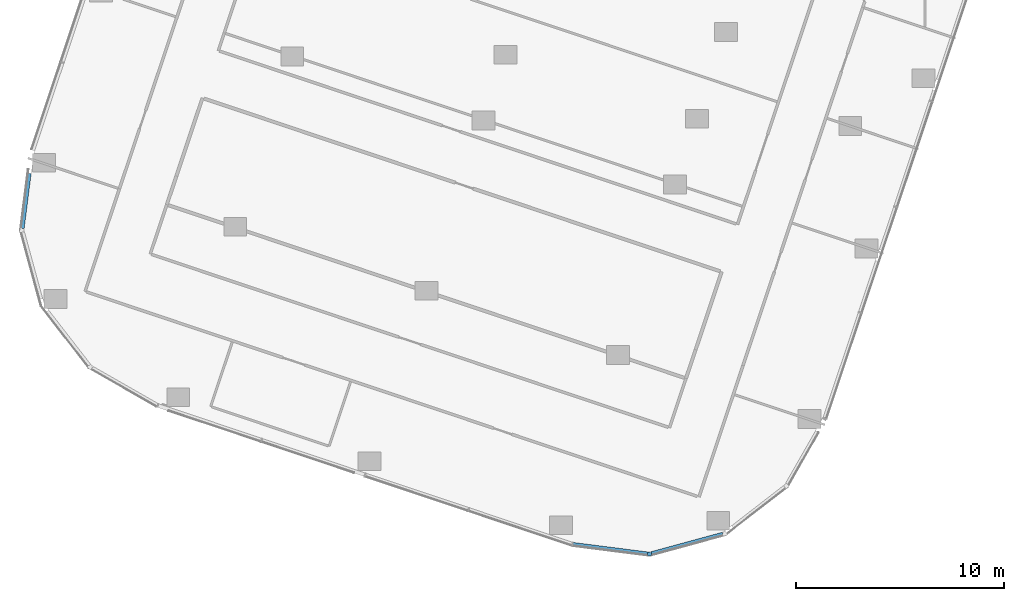
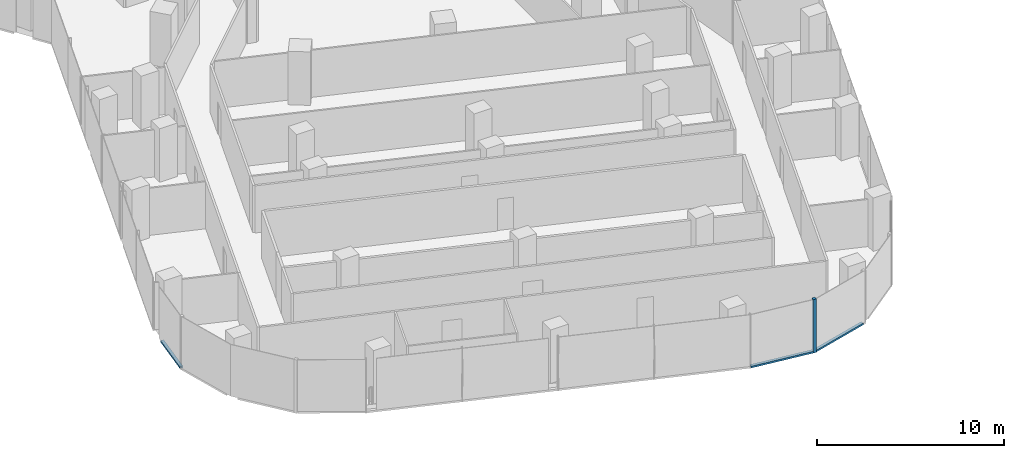
# One storey, part 3 of 26: 4 members, 3 elements without a shape of their own.
"""IFC4 building model written with IfcOpenShell, lengths in metres."""

from ifc_helpers import new_model, si_unit, direction, frame, origin, origin_2d, place, context, subcontext, project, spatial, rectangle, extrude, material, material_profile, profile_set, type_object, element, aggregate, save


model = new_model("IFC4")

# Units and contexts
model_context = context("Model", 3, precision=1e-05, world=origin(), true_north=direction((0.0, 1.0)))
body_context = subcontext(model_context, "Body", "Model", "MODEL_VIEW")
ifc_project = project(units=[si_unit("LENGTHUNIT", "METRE"), si_unit("AREAUNIT", "SQUARE_METRE"), si_unit("VOLUMEUNIT", "CUBIC_METRE"), si_unit("PLANEANGLEUNIT", "RADIAN"), si_unit("MASSUNIT", "GRAM", prefix="KILO")], contexts=[model_context])

# Site, building, storey
site_placement = place(None, origin())
site = spatial("IfcSite", under=ifc_project, at=site_placement, CompositionType="ELEMENT")
building_placement = place(site_placement, origin())
building = spatial("IfcBuilding", under=site, at=building_placement, Name="Orlundy Tower", CompositionType="ELEMENT")
storey_placement = place(building_placement, frame((0.0, 0.0, 156.10009765625)))
storey = spatial("IfcBuildingStorey", under=building, at=storey_placement, Name="L40", CompositionType="ELEMENT", Elevation=156.10009765625)

# Curtain wall, member
ifc_material_1 = material(Name="Aluminium bronze anodised", Category="aluminium")
curtain_wall_type = type_object("IfcCurtainWallType", Name="CW1 wall", PredefinedType="NOTDEFINED", material=ifc_material_1)
curtain_wall_1_placement = place(storey_placement, origin())
curtain_wall_1 = element("IfcCurtainWall", 1, at=curtain_wall_1_placement, inside=storey, type_object=curtain_wall_type, Name="CW1 run 022", PredefinedType="NOTDEFINED")
ifc_material_2 = material(Name="Aluminium bronze anodised", Category="aluminium")
ifc_material_profile_1 = material_profile(ifc_material_2, rectangle(XDim=0.179931640625, YDim=0.179931640625, at=origin_2d()), Name="CW1 corner post 180x180")
ifc_profile_set_1 = profile_set([ifc_material_profile_1], Name="Aluminium bronze anodised")
member_type_1 = type_object("IfcMemberType", Name="CW1 corner post 180x180", PredefinedType="MULLION", material=ifc_profile_set_1)
member_1_placement = place(storey_placement, frame((-5.238525390625, -60.316650390625, -0.400146484375), z_axis=(0.0, 0.0, 1.0), x_axis=(-0.126259106648, -0.99199729737, 0.0)))
member_1 = element("IfcMember", 2, at=member_1_placement, type_object=member_type_1, Name="CW1 mullion 52", PredefinedType="MULLION", context=body_context, shape_type="SweptSolid", body=[
    extrude(rectangle(XDim=0.179931640625, YDim=0.179931640625, at=origin_2d()), origin(), (0.0, 0.0, 1.0), 3.5),
])

curtain_wall_2_placement = place(storey_placement, origin())
curtain_wall_2 = element("IfcCurtainWall", 3, at=curtain_wall_2_placement, inside=storey, type_object=curtain_wall_type, Name="CW1 run 021", PredefinedType="NOTDEFINED")
ifc_material_3 = material(Name="Aluminium bronze anodised", Category="aluminium")
ifc_material_profile_2 = material_profile(ifc_material_3, rectangle(XDim=0.179931640625, YDim=0.1201171875, at=origin_2d()), Name="CW1 transom 180x120")
ifc_profile_set_2 = profile_set([ifc_material_profile_2], Name="Aluminium bronze anodised")
member_type_2 = type_object("IfcMemberType", Name="CW1 transom 180x120", PredefinedType="USERDEFINED", material=ifc_profile_set_2)
member_2_placement = place(storey_placement, frame((-1.71484375, -59.355712890625, -0.340087890625), z_axis=(-0.964768575613, -0.263099972464, 0.0), x_axis=(0.263099972464, -0.964768575613, 0.0)))
member_2 = element("IfcMember", 4, at=member_2_placement, type_object=member_type_2, Name="CW1 transom", ObjectType="TRANSOM", PredefinedType="USERDEFINED", context=body_context, shape_type="SweptSolid", body=[
    extrude(rectangle(XDim=0.179931640625, YDim=0.1201171875, at=origin_2d()), origin(), (0.0, 0.0, 1.0), 3.554931640625),
])
aggregate(curtain_wall_2, [member_2])

# Member
member_3_placement = place(storey_placement, frame((-5.327880859375, -60.30517578125, -0.340087890625), z_axis=(-0.991999294503, 0.126243414502, 0.0), x_axis=(-0.126243414502, -0.991999294503, 0.0)))
member_3 = element("IfcMember", 5, at=member_3_placement, type_object=member_type_2, Name="CW1 transom", ObjectType="TRANSOM", PredefinedType="USERDEFINED", context=body_context, shape_type="SweptSolid", body=[
    extrude(rectangle(XDim=0.179931640625, YDim=0.1201171875, at=origin_2d()), origin(), (0.0, 0.0, 1.0), 3.618408203125),
])

aggregate(curtain_wall_1, [member_1, member_3])

# Curtain wall, member
curtain_wall_3_placement = place(storey_placement, origin())
curtain_wall_3 = element("IfcCurtainWall", 6, at=curtain_wall_3_placement, inside=storey, type_object=curtain_wall_type, Name="CW1 run 027", PredefinedType="NOTDEFINED")
member_4_placement = place(storey_placement, frame((-35.379150390625, -44.6640625, -0.340087890625), z_axis=(0.125999774366, 0.992030270133, 0.0), x_axis=(-0.992030270133, 0.125999774366, 0.0)))
member_4 = element("IfcMember", 7, at=member_4_placement, type_object=member_type_2, Name="CW1 transom", ObjectType="TRANSOM", PredefinedType="USERDEFINED", context=body_context, shape_type="SweptSolid", body=[
    extrude(rectangle(XDim=0.179931640625, YDim=0.1201171875, at=origin_2d()), origin(), (0.0, 0.0, 1.0), 2.660400390625),
])
aggregate(curtain_wall_3, [member_4])

save(model, "model.ifc")
